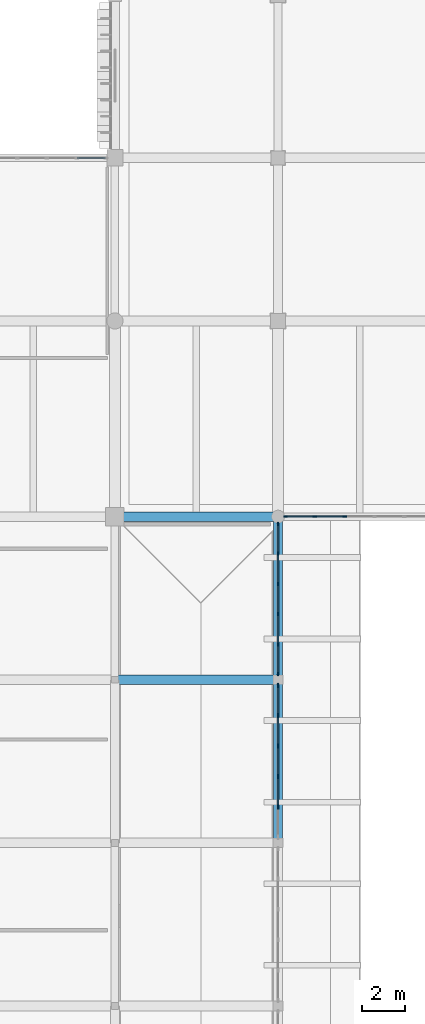
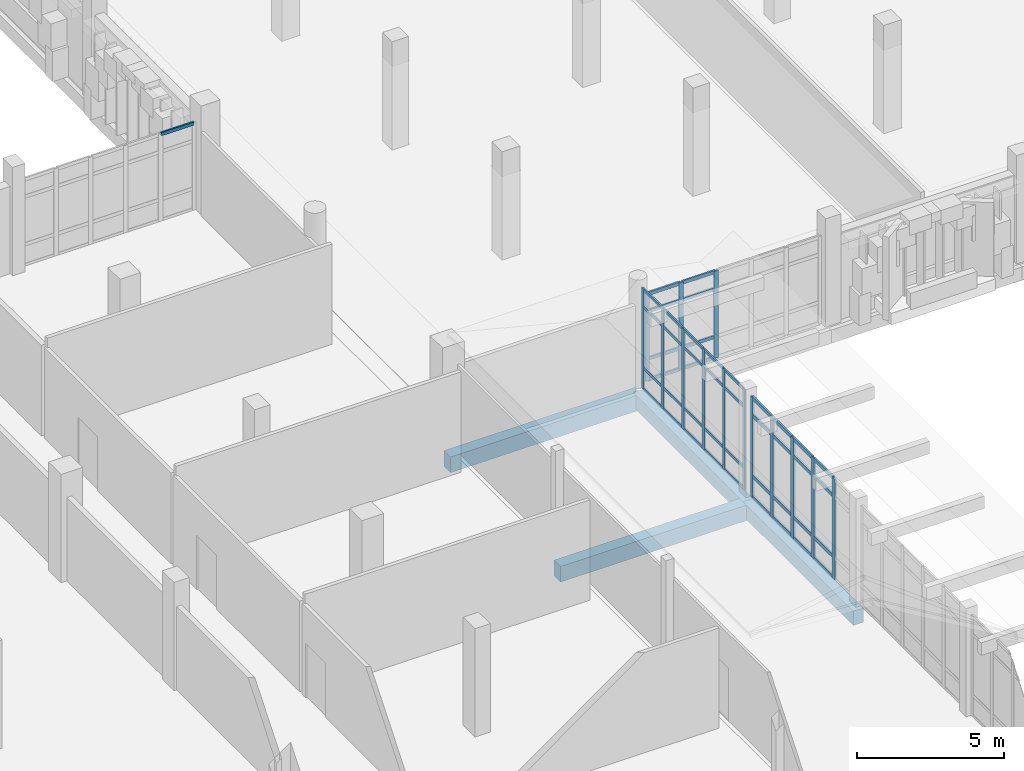
# One storey, part 45 of 128: 59 members, 4 beams, 4 elements without a shape of their own.
"""IFC4 building model written with IfcOpenShell, lengths in metres."""

import ifcopenshell
import ifcopenshell.guid

model = None  # the IFC model being written
_history = None  # IfcOwnerHistory: only IFC2X3 demands one
_inside = {}  # id of a spatial element -> (the spatial element, [elements in it])
_under = {}  # id of a project, library or spatial element -> (it, [spatial elements below it])
_declared = {}  # id of a project -> (the project, [libraries it declares])
_typed = {}  # id of a type object -> (the type object, [elements of that type])
_made_of = {}  # id of a material, layer set ... -> (it, [elements and type objects made of it])


def new_model(schema):
    """Start an empty IFC model of exactly this schema.

    Asked for "IFC4X3", IfcOpenShell would pick the latest addendum, in which some entities
    have other attributes; the version numbers below select the first issue.
    IFC2X3 requires an IfcOwnerHistory on every rooted entity: one is made here for all.
    """
    global model, _history
    if schema == "IFC4X3":
        model = ifcopenshell.file(schema_version=(4, 3, 0, 0))
    else:
        model = ifcopenshell.file(schema=schema)
    _inside.clear()
    _under.clear()
    _declared.clear()
    _typed.clear()
    _made_of.clear()
    _history = None
    if model.schema == "IFC2X3":
        org = make("IfcOrganization", Name="unknown")
        user = make(
            "IfcPersonAndOrganization",
            ThePerson=make("IfcPerson", FamilyName="unknown"),
            TheOrganization=org,
        )
        app = make(
            "IfcApplication",
            ApplicationDeveloper=org,
            Version="unknown",
            ApplicationFullName="unknown",
            ApplicationIdentifier="unknown",
        )
        _history = make(
            "IfcOwnerHistory",
            OwningUser=user,
            OwningApplication=app,
            ChangeAction="ADDED",
            CreationDate=0,
        )
    return model


def make(cls, **values):
    """One entity of the class cls with the attributes given. An attribute that is None is left unset."""
    return model.create_entity(
        cls, **{name: value for name, value in values.items() if value is not None}
    )


def rooted(cls, **values):
    """An entity with a GlobalId (a new one), such as an element, a storey or a relation."""
    return make(cls, GlobalId=ifcopenshell.guid.new(), OwnerHistory=_history, **values)


def si_unit(unit_type, name, prefix=None):
    """IfcSIUnit, for example si_unit("LENGTHUNIT", "METRE", prefix="MILLI")."""
    return make("IfcSIUnit", UnitType=unit_type, Prefix=prefix, Name=name)


def assignment(units):
    """IfcUnitAssignment: the units of a project."""
    return None if units is None else make("IfcUnitAssignment", Units=units)


def point(xyz):
    """IfcCartesianPoint."""
    return None if xyz is None else make("IfcCartesianPoint", Coordinates=xyz)


def direction(xyz):
    """IfcDirection."""
    return None if xyz is None else make("IfcDirection", DirectionRatios=xyz)


def frame(location, z_axis=None, x_axis=None):
    """IfcAxis2Placement3D, a coordinate frame: its origin and axes. An axis left out is left unset."""
    return make(
        "IfcAxis2Placement3D",
        Location=point(location),
        Axis=direction(z_axis),
        RefDirection=direction(x_axis),
    )


def frame_2d(location, x_axis=None):
    """IfcAxis2Placement2D, a coordinate frame in the plane: its origin and x axis."""
    return make(
        "IfcAxis2Placement2D", Location=point(location), RefDirection=direction(x_axis)
    )


def origin():
    """The frame at (0, 0, 0) with its axes left unset."""
    return frame((0.0, 0.0, 0.0))


def origin_2d():
    """The frame at (0, 0) in the plane with its x axis left unset."""
    return frame_2d((0.0, 0.0))


def place(relative_to, where):
    """IfcLocalPlacement: puts the frame where relative to a parent placement (None: the world)."""
    return make(
        "IfcLocalPlacement", PlacementRelTo=relative_to, RelativePlacement=where
    )


def context(
    kind, dimensions, precision=None, world=None, true_north=None, identifier=None
):
    """IfcGeometricRepresentationContext, for example the 3D "Model" context."""
    return make(
        "IfcGeometricRepresentationContext",
        ContextIdentifier=identifier,
        ContextType=kind,
        CoordinateSpaceDimension=dimensions,
        Precision=precision,
        WorldCoordinateSystem=world,
        TrueNorth=true_north,
    )


def subcontext(parent, identifier, kind, view, scale=None):
    """IfcGeometricRepresentationSubContext, for example "Body" below "Model"."""
    return make(
        "IfcGeometricRepresentationSubContext",
        ContextIdentifier=identifier,
        ContextType=kind,
        ParentContext=parent,
        TargetScale=scale,
        TargetView=view,
    )


def project(units=None, contexts=None):
    """IfcProject with its units and contexts."""
    return rooted(
        "IfcProject",
        Name="project",
        RepresentationContexts=contexts,
        UnitsInContext=assignment(units),
    )


def spatial(cls, under=None, at=None, **own):
    """A site, building, storey or space (cls), placed at a placement, below another one or the project."""
    s = rooted(cls, ObjectPlacement=at, **own)
    if under is not None:
        _under.setdefault(under.id(), (under, []))[1].append(s)
    return s


def profile(cls, at=None, kind="AREA", **sizes):
    """A parametric profile (cls). Its sizes go by their IFC names, for example OverallWidth=200.0."""
    return make(cls, ProfileType=kind, Position=at, **sizes)


def rectangle(**sizes):
    """IfcRectangleProfileDef."""
    return profile("IfcRectangleProfileDef", **sizes)


def extrude(swept, where, along, depth):
    """IfcExtrudedAreaSolid: the profile swept, set in the frame where, extruded along a direction by depth."""
    return make(
        "IfcExtrudedAreaSolid",
        SweptArea=swept,
        Position=where,
        ExtrudedDirection=direction(along),
        Depth=depth,
    )


def shape(context_of_items, identifier, shape_type, items):
    """IfcShapeRepresentation: the items that make up one representation, for example the "Body"."""
    return make(
        "IfcShapeRepresentation",
        ContextOfItems=context_of_items,
        RepresentationIdentifier=identifier,
        RepresentationType=shape_type,
        Items=items,
    )


def material(Name=None, Category=None):
    """IfcMaterial."""
    return make("IfcMaterial", Name=Name, Category=Category)


def layer(
    of_material, thickness, ventilated=None, Name=None, Category=None, Priority=None
):
    """IfcMaterialLayer: one layer of a wall or slab, of a material (None: an air gap)."""
    return make(
        "IfcMaterialLayer",
        Material=of_material,
        LayerThickness=thickness,
        IsVentilated=ventilated,
        Name=Name,
        Category=Category,
        Priority=Priority,
    )


def layer_set(layers, Name=None):
    """IfcMaterialLayerSet."""
    return make("IfcMaterialLayerSet", MaterialLayers=layers, LayerSetName=Name)


def material_profile(
    of_material, cross_section, Name=None, Category=None, Priority=None
):
    """IfcMaterialProfile: a cross section and its material."""
    return make(
        "IfcMaterialProfile",
        Name=Name,
        Material=of_material,
        Profile=cross_section,
        Priority=Priority,
        Category=Category,
    )


def profile_set(profiles, Name=None, composite=None):
    """IfcMaterialProfileSet."""
    return make(
        "IfcMaterialProfileSet",
        Name=Name,
        MaterialProfiles=profiles,
        CompositeProfile=composite,
    )


def made_of(thing, what):
    """Note that an element or type object is made of a material, layer set ...; save() writes the relation."""
    if what is not None:
        _made_of.setdefault(what.id(), (what, []))[1].append(thing)
    return thing


def type_object(cls, material=None, **own):
    """A type object (cls), such as IfcWallType, which elements share."""
    return made_of(rooted(cls, **own), material)


def element(
    cls,
    number,
    at=None,
    inside=None,
    cuts=None,
    type_object=None,
    material=None,
    context=None,
    identifier="Body",
    shape_type=None,
    held_by="IfcProductDefinitionShape",
    body=None,
    shapes=None,
    **own,
):
    """One element of the class cls, such as IfcWall. Its Tag is "e" and its number.

    at: its placement. inside: the storey or other place that contains it. cuts: it is an
    opening in that element (IfcRelVoidsElement). A single representation is given by context,
    identifier, shape_type and body (its items); several are given by shapes. held_by: the class
    of the entity that holds the representations. save() writes the other relations.
    """
    e = rooted(cls, Tag="e%d" % number, ObjectPlacement=at, **own)
    if body is not None:
        shapes = [shape(context, identifier, shape_type, body)]
    if shapes is not None:
        e.Representation = make(held_by, Representations=shapes)
    if inside is not None:
        _inside.setdefault(inside.id(), (inside, []))[1].append(e)
    if cuts is not None:
        rooted(
            "IfcRelVoidsElement", RelatingBuildingElement=cuts, RelatedOpeningElement=e
        )
    if type_object is not None:
        _typed.setdefault(type_object.id(), (type_object, []))[1].append(e)
    return made_of(e, material)


def aggregate(whole, parts):
    """IfcRelAggregates: a whole, such as a stair, and the parts it consists of."""
    return rooted("IfcRelAggregates", RelatingObject=whole, RelatedObjects=parts)


def save(model, path):
    """Write the relations noted so far, then the file.

    IfcRelAggregates (storeys below a building ...), IfcRelContainedInSpatialStructure (elements
    in a storey), IfcRelDefinesByType, IfcRelAssociatesMaterial and IfcRelDeclares: one each for
    every whole, place, type object, material and project.
    """
    for whole, parts in _under.values():
        aggregate(whole, parts)
    for where, things in _inside.values():
        rooted(
            "IfcRelContainedInSpatialStructure",
            RelatedElements=things,
            RelatingStructure=where,
        )
    for kind, things in _typed.values():
        rooted("IfcRelDefinesByType", RelatedObjects=things, RelatingType=kind)
    for what, things in _made_of.values():
        rooted("IfcRelAssociatesMaterial", RelatedObjects=things, RelatingMaterial=what)
    for by, libraries in _declared.values():
        rooted("IfcRelDeclares", RelatingContext=by, RelatedDefinitions=libraries)
    model.write(path)


model = new_model("IFC4")

# Units and contexts
model_context = context("Model", 3, precision=1e-05, world=origin(), true_north=direction((0.0, 1.0)))
body_context = subcontext(model_context, "Body", "Model", "MODEL_VIEW")
ifc_project = project(units=[si_unit("LENGTHUNIT", "METRE"), si_unit("AREAUNIT", "SQUARE_METRE"), si_unit("VOLUMEUNIT", "CUBIC_METRE"), si_unit("PLANEANGLEUNIT", "RADIAN"), si_unit("MASSUNIT", "GRAM", prefix="KILO")], contexts=[model_context])

# Site, building, storey
site_placement = place(None, origin())
site = spatial("IfcSite", under=ifc_project, at=site_placement, CompositionType="ELEMENT")
building_placement = place(site_placement, origin())
building = spatial("IfcBuilding", under=site, at=building_placement, Name="Dalvernix Boulevard General Hospital", CompositionType="ELEMENT")
storey_placement = place(building_placement, frame((0.0, 0.0, 4.800048828125)))
storey = spatial("IfcBuildingStorey", under=building, at=storey_placement, Name="L01", CompositionType="ELEMENT", Elevation=4.800048828125)

# Beams
ifc_material_1 = material(Name="Concrete C35/45", Category="concrete")
ifc_material_profile_1 = material_profile(ifc_material_1, rectangle(XDim=0.449951171875, YDim=0.64990234375, at=origin_2d()), Name="RCB 450x650")
ifc_profile_set_1 = profile_set([ifc_material_profile_1], Name="Concrete C35/45")
beam_type_1 = type_object("IfcBeamType", Name="BM-B-03-I", PredefinedType="BEAM", material=ifc_profile_set_1)
for number, where, z_axis, x_axis, name in (
    (1, (30.0, 69.0, -0.625), (1.0, 0.0, 0.0), (0.0, 1.0, 0.0), "L01 E-W girder K:5-6"),
    (2, (30.0, 76.5, -0.625), (1.0, 0.0, 0.0), (0.0, 1.0, 0.0), "L01 E-W girder L:5-6"),
):
    element("IfcBeam", number, at=place(storey_placement, frame(where, z_axis=z_axis, x_axis=x_axis)), inside=storey, type_object=beam_type_1, Name=name, PredefinedType="BEAM", context=body_context, shape_type="SweptSolid", body=[
        extrude(rectangle(XDim=0.449951171875, YDim=0.64990234375, at=origin_2d()), origin(), (0.0, 0.0, 1.0), 7.5),
    ])
ifc_material_profile_2 = material_profile(ifc_material_1, rectangle(XDim=0.39990234375, YDim=0.60009765625, at=origin_2d()), Name="RCB 400x600")
ifc_profile_set_2 = profile_set([ifc_material_profile_2], Name="Concrete C35/45")
beam_type_2 = type_object("IfcBeamType", Name="BM-SB-02-E", PredefinedType="SPANDREL", material=ifc_profile_set_2)
for number, where, z_axis, x_axis, name in (
    (3, (37.5, 61.5, -0.60009765625), (0.0, 1.0, 0.0), (-1.0, 0.0, 0.0), "L01 N-S girder 6:J-K"),
    (4, (37.5, 69.0, -0.60009765625), (0.0, 1.0, 0.0), (-1.0, 0.0, 0.0), "L01 N-S girder 6:K-L"),
):
    element("IfcBeam", number, at=place(storey_placement, frame(where, z_axis=z_axis, x_axis=x_axis)), inside=storey, type_object=beam_type_2, Name=name, PredefinedType="SPANDREL", context=body_context, shape_type="SweptSolid", body=[
        extrude(rectangle(XDim=0.39990234375, YDim=0.60009765625, at=origin_2d()), origin(), (0.0, 0.0, 1.0), 7.5),
    ])

# Curtain wall, members
ifc_material_2 = material(Name="Thermally broken aluminium and solar-control glass curtain wall", Category="aluminium")
ifc_layer_1 = layer(ifc_material_2, 0.159912109375)
ifc_layer_set_1 = layer_set([ifc_layer_1], Name="Thermally broken aluminium and solar-control glass curtain wall (CW-CW-A-70x42)")
curtain_wall_type_1 = type_object("IfcCurtainWallType", Name="CW-CW-A-70x42", PredefinedType="USERDEFINED", material=ifc_layer_set_1)
curtain_wall_1_placement = place(storey_placement, origin())
curtain_wall_1 = element("IfcCurtainWall", 5, at=curtain_wall_1_placement, inside=storey, type_object=curtain_wall_type_1, Name="L01 curtain wall CW-A-70x42 5-9", ObjectType="GLAZED FACADE", PredefinedType="USERDEFINED")
ifc_material_3 = material(Name="Aluminium EN AW-6060", Category="aluminium")
ifc_material_profile_3 = material_profile(ifc_material_3, rectangle(XDim=0.06005859375, YDim=0.159912109375, at=origin_2d()), Name="ALU MULL 60x160")
ifc_profile_set_3 = profile_set([ifc_material_profile_3], Name="Aluminium EN AW-6060")
member_type_1 = type_object("IfcMemberType", Name="MEM-CW-M1", PredefinedType="MULLION", material=ifc_profile_set_3)
member_1_placement = place(storey_placement, frame((37.5, 76.159912109375, 0.0), z_axis=(0.0, 0.0, 1.0), x_axis=(1.0, 0.0, 0.0)))
member_1 = element("IfcMember", 6, at=member_1_placement, type_object=member_type_1, Name="CW-A-70x42 mullion 1", PredefinedType="MULLION", context=body_context, shape_type="SweptSolid", body=[
    extrude(rectangle(XDim=0.06005859375, YDim=0.159912109375, at=origin_2d()), origin(), (0.0, 0.0, 1.0), 4.179931640625),
])
member_2_placement = place(storey_placement, frame((37.5, 74.799072265625, 0.0), z_axis=(0.0, 0.0, 1.0), x_axis=(1.0, 0.0, 0.0)))
member_2 = element("IfcMember", 7, at=member_2_placement, type_object=member_type_1, Name="CW-A-70x42 mullion 2", PredefinedType="MULLION", context=body_context, shape_type="SweptSolid", body=[
    extrude(rectangle(XDim=0.06005859375, YDim=0.159912109375, at=origin_2d()), origin(), (0.0, 0.0, 1.0), 4.179931640625),
])
member_3_placement = place(storey_placement, frame((37.5, 73.407958984375, 0.0), z_axis=(0.0, 0.0, 1.0), x_axis=(1.0, 0.0, 0.0)))
member_3 = element("IfcMember", 8, at=member_3_placement, type_object=member_type_1, Name="CW-A-70x42 mullion 3", PredefinedType="MULLION", context=body_context, shape_type="SweptSolid", body=[
    extrude(rectangle(XDim=0.06005859375, YDim=0.159912109375, at=origin_2d()), origin(), (0.0, 0.0, 1.0), 4.179931640625),
])
member_4_placement = place(storey_placement, frame((37.5, 72.01708984375, 0.0), z_axis=(0.0, 0.0, 1.0), x_axis=(1.0, 0.0, 0.0)))
member_4 = element("IfcMember", 9, at=member_4_placement, type_object=member_type_1, Name="CW-A-70x42 mullion 4", PredefinedType="MULLION", context=body_context, shape_type="SweptSolid", body=[
    extrude(rectangle(XDim=0.06005859375, YDim=0.159912109375, at=origin_2d()), origin(), (0.0, 0.0, 1.0), 4.179931640625),
])
member_5_placement = place(storey_placement, frame((37.5, 70.6259765625, 0.0), z_axis=(0.0, 0.0, 1.0), x_axis=(1.0, 0.0, 0.0)))
member_5 = element("IfcMember", 10, at=member_5_placement, type_object=member_type_1, Name="CW-A-70x42 mullion 5", PredefinedType="MULLION", context=body_context, shape_type="SweptSolid", body=[
    extrude(rectangle(XDim=0.06005859375, YDim=0.159912109375, at=origin_2d()), origin(), (0.0, 0.0, 1.0), 4.179931640625),
])
member_6_placement = place(storey_placement, frame((37.5, 69.264892578125, 0.0), z_axis=(0.0, 0.0, 1.0), x_axis=(1.0, 0.0, 0.0)))
member_6 = element("IfcMember", 11, at=member_6_placement, type_object=member_type_1, Name="CW-A-70x42 mullion 6", PredefinedType="MULLION", context=body_context, shape_type="SweptSolid", body=[
    extrude(rectangle(XDim=0.06005859375, YDim=0.159912109375, at=origin_2d()), origin(), (0.0, 0.0, 1.0), 4.179931640625),
])

ifc_layer_2 = layer(ifc_material_2, 0.179931640625)
ifc_layer_set_2 = layer_set([ifc_layer_2], Name="Thermally broken aluminium and solar-control glass curtain wall (CW-CW-B-69x36)")
curtain_wall_type_2 = type_object("IfcCurtainWallType", Name="CW-CW-B-69x36", PredefinedType="USERDEFINED", material=ifc_layer_set_2)
curtain_wall_2_placement = place(storey_placement, origin())
curtain_wall_2 = element("IfcCurtainWall", 12, at=curtain_wall_2_placement, inside=storey, type_object=curtain_wall_type_2, Name="L01 curtain wall CW-B-69x36 5-10", ObjectType="GLAZED FACADE", PredefinedType="USERDEFINED")
ifc_material_profile_4 = material_profile(ifc_material_3, rectangle(XDim=0.06494140625, YDim=0.179931640625, at=origin_2d()), Name="ALU MULL 65x180")
ifc_profile_set_4 = profile_set([ifc_material_profile_4], Name="Aluminium EN AW-6060")
member_type_2 = type_object("IfcMemberType", Name="MEM-CW-M2", PredefinedType="MULLION", material=ifc_profile_set_4)
member_7_placement = place(storey_placement, frame((40.56201171875, 76.5, 0.0), z_axis=(0.0, 0.0, 1.0), x_axis=(0.0, -1.0, 0.0)))
member_7 = element("IfcMember", 13, at=member_7_placement, type_object=member_type_2, Name="CW-B-69x36 mullion 4", PredefinedType="MULLION", context=body_context, shape_type="SweptSolid", body=[
    extrude(rectangle(XDim=0.06494140625, YDim=0.179931640625, at=origin_2d()), origin(), (0.0, 0.0, 1.0), 3.6298828125),
])
member_8_placement = place(storey_placement, frame((39.18603515625, 76.5, 0.0), z_axis=(0.0, 0.0, 1.0), x_axis=(0.0, -1.0, 0.0)))
member_8 = element("IfcMember", 14, at=member_8_placement, type_object=member_type_2, Name="CW-B-69x36 mullion 5", PredefinedType="MULLION", context=body_context, shape_type="SweptSolid", body=[
    extrude(rectangle(XDim=0.06494140625, YDim=0.179931640625, at=origin_2d()), origin(), (0.0, 0.0, 1.0), 3.6298828125),
])
member_9_placement = place(storey_placement, frame((37.842529296875, 76.5, 0.0), z_axis=(0.0, 0.0, 1.0), x_axis=(0.0, -1.0, 0.0)))
member_9 = element("IfcMember", 15, at=member_9_placement, type_object=member_type_2, Name="CW-B-69x36 mullion 6", PredefinedType="MULLION", context=body_context, shape_type="SweptSolid", body=[
    extrude(rectangle(XDim=0.06494140625, YDim=0.179931640625, at=origin_2d()), origin(), (0.0, 0.0, 1.0), 3.6298828125),
])

ifc_layer_3 = layer(ifc_material_2, 0.199951171875)
ifc_layer_set_3 = layer_set([ifc_layer_3], Name="Thermally broken aluminium and solar-control glass curtain wall (CW-CW-C-70x42)")
curtain_wall_type_3 = type_object("IfcCurtainWallType", Name="CW-CW-C-70x42", PredefinedType="USERDEFINED", material=ifc_layer_set_3)
curtain_wall_3_placement = place(storey_placement, origin())
curtain_wall_3 = element("IfcCurtainWall", 16, at=curtain_wall_3_placement, inside=storey, type_object=curtain_wall_type_3, Name="L01 curtain wall CW-C-70x42 5-8", ObjectType="GLAZED FACADE", PredefinedType="USERDEFINED")
ifc_material_profile_5 = material_profile(ifc_material_3, rectangle(XDim=0.070068359375, YDim=0.199951171875, at=origin_2d()), Name="ALU MULL 70x200")
ifc_profile_set_5 = profile_set([ifc_material_profile_5], Name="Aluminium EN AW-6060")
member_type_3 = type_object("IfcMemberType", Name="MEM-CW-M3", PredefinedType="MULLION", material=ifc_profile_set_5)
member_10_placement = place(storey_placement, frame((37.5, 68.72998046875, 0.0), z_axis=(0.0, 0.0, 1.0), x_axis=(1.0, 0.0, 0.0)))
member_10 = element("IfcMember", 17, at=member_10_placement, type_object=member_type_3, Name="CW-C-70x42 mullion 1", PredefinedType="MULLION", context=body_context, shape_type="SweptSolid", body=[
    extrude(rectangle(XDim=0.070068359375, YDim=0.199951171875, at=origin_2d()), origin(), (0.0, 0.0, 1.0), 4.179931640625),
])
member_11_placement = place(storey_placement, frame((37.5, 67.35888671875, 0.0), z_axis=(0.0, 0.0, 1.0), x_axis=(1.0, 0.0, 0.0)))
member_11 = element("IfcMember", 18, at=member_11_placement, type_object=member_type_3, Name="CW-C-70x42 mullion 2", PredefinedType="MULLION", context=body_context, shape_type="SweptSolid", body=[
    extrude(rectangle(XDim=0.070068359375, YDim=0.199951171875, at=origin_2d()), origin(), (0.0, 0.0, 1.0), 4.179931640625),
])
member_12_placement = place(storey_placement, frame((37.5, 65.952880859375, 0.0), z_axis=(0.0, 0.0, 1.0), x_axis=(1.0, 0.0, 0.0)))
member_12 = element("IfcMember", 19, at=member_12_placement, type_object=member_type_3, Name="CW-C-70x42 mullion 3", PredefinedType="MULLION", context=body_context, shape_type="SweptSolid", body=[
    extrude(rectangle(XDim=0.070068359375, YDim=0.199951171875, at=origin_2d()), origin(), (0.0, 0.0, 1.0), 4.179931640625),
])
member_13_placement = place(storey_placement, frame((37.5, 64.547119140625, 0.0), z_axis=(0.0, 0.0, 1.0), x_axis=(1.0, 0.0, 0.0)))
member_13 = element("IfcMember", 20, at=member_13_placement, type_object=member_type_3, Name="CW-C-70x42 mullion 4", PredefinedType="MULLION", context=body_context, shape_type="SweptSolid", body=[
    extrude(rectangle(XDim=0.070068359375, YDim=0.199951171875, at=origin_2d()), origin(), (0.0, 0.0, 1.0), 4.179931640625),
])
member_14_placement = place(storey_placement, frame((37.5, 63.14111328125, 0.0), z_axis=(0.0, 0.0, 1.0), x_axis=(1.0, 0.0, 0.0)))
member_14 = element("IfcMember", 21, at=member_14_placement, type_object=member_type_3, Name="CW-C-70x42 mullion 5", PredefinedType="MULLION", context=body_context, shape_type="SweptSolid", body=[
    extrude(rectangle(XDim=0.070068359375, YDim=0.199951171875, at=origin_2d()), origin(), (0.0, 0.0, 1.0), 4.179931640625),
])

# Member
ifc_material_profile_6 = material_profile(ifc_material_3, rectangle(XDim=0.06005859375, YDim=0.1201171875, at=origin_2d()), Name="ALU TRAN 60x120")
ifc_profile_set_6 = profile_set([ifc_material_profile_6], Name="Aluminium EN AW-6060")
member_type_4 = type_object("IfcMemberType", Name="MEM-CW-T1", PredefinedType="USERDEFINED", material=ifc_profile_set_6)
member_15_placement = place(storey_placement, frame((37.5, 76.1298828125, 0.030029296875), z_axis=(0.0, -1.0, 0.0), x_axis=(1.0, 0.0, 0.0)))
member_15 = element("IfcMember", 22, at=member_15_placement, type_object=member_type_4, Name="CW-A-70x42 transom 1.1", ObjectType="TRANSOM", PredefinedType="USERDEFINED", context=body_context, shape_type="SweptSolid", body=[
    extrude(rectangle(XDim=0.06005859375, YDim=0.1201171875, at=origin_2d()), origin(), (0.0, 0.0, 1.0), 1.30078125),
])

member_16_placement = place(storey_placement, frame((37.5, 76.1298828125, 0.89990234375), z_axis=(0.0, -1.0, 0.0), x_axis=(1.0, 0.0, 0.0)))
member_16 = element("IfcMember", 23, at=member_16_placement, type_object=member_type_4, Name="CW-A-70x42 transom 1.2", ObjectType="TRANSOM", PredefinedType="USERDEFINED", context=body_context, shape_type="SweptSolid", body=[
    extrude(rectangle(XDim=0.06005859375, YDim=0.1201171875, at=origin_2d()), origin(), (0.0, 0.0, 1.0), 1.30078125),
])

member_17_placement = place(storey_placement, frame((37.5, 76.1298828125, 3.429931640625), z_axis=(0.0, -1.0, 0.0), x_axis=(1.0, 0.0, 0.0)))
member_17 = element("IfcMember", 24, at=member_17_placement, type_object=member_type_4, Name="CW-A-70x42 transom 1.3", ObjectType="TRANSOM", PredefinedType="USERDEFINED", context=body_context, shape_type="SweptSolid", body=[
    extrude(rectangle(XDim=0.06005859375, YDim=0.1201171875, at=origin_2d()), origin(), (0.0, 0.0, 1.0), 1.30078125),
])

member_18_placement = place(storey_placement, frame((37.5, 76.1298828125, 4.14990234375), z_axis=(0.0, -1.0, 0.0), x_axis=(1.0, 0.0, 0.0)))
member_18 = element("IfcMember", 25, at=member_18_placement, type_object=member_type_4, Name="CW-A-70x42 transom 1.4", ObjectType="TRANSOM", PredefinedType="USERDEFINED", context=body_context, shape_type="SweptSolid", body=[
    extrude(rectangle(XDim=0.06005859375, YDim=0.1201171875, at=origin_2d()), origin(), (0.0, 0.0, 1.0), 1.30078125),
])

member_19_placement = place(storey_placement, frame((37.5, 74.76904296875, 0.030029296875), z_axis=(0.0, -1.0, 0.0), x_axis=(1.0, 0.0, 0.0)))
member_19 = element("IfcMember", 26, at=member_19_placement, type_object=member_type_4, Name="CW-A-70x42 transom 2.1", ObjectType="TRANSOM", PredefinedType="USERDEFINED", context=body_context, shape_type="SweptSolid", body=[
    extrude(rectangle(XDim=0.06005859375, YDim=0.1201171875, at=origin_2d()), origin(), (0.0, 0.0, 1.0), 1.3310546875),
])

member_20_placement = place(storey_placement, frame((37.5, 74.76904296875, 0.89990234375), z_axis=(0.0, -1.0, 0.0), x_axis=(1.0, 0.0, 0.0)))
member_20 = element("IfcMember", 27, at=member_20_placement, type_object=member_type_4, Name="CW-A-70x42 transom 2.2", ObjectType="TRANSOM", PredefinedType="USERDEFINED", context=body_context, shape_type="SweptSolid", body=[
    extrude(rectangle(XDim=0.06005859375, YDim=0.1201171875, at=origin_2d()), origin(), (0.0, 0.0, 1.0), 1.3310546875),
])

member_21_placement = place(storey_placement, frame((37.5, 74.76904296875, 3.429931640625), z_axis=(0.0, -1.0, 0.0), x_axis=(1.0, 0.0, 0.0)))
member_21 = element("IfcMember", 28, at=member_21_placement, type_object=member_type_4, Name="CW-A-70x42 transom 2.3", ObjectType="TRANSOM", PredefinedType="USERDEFINED", context=body_context, shape_type="SweptSolid", body=[
    extrude(rectangle(XDim=0.06005859375, YDim=0.1201171875, at=origin_2d()), origin(), (0.0, 0.0, 1.0), 1.3310546875),
])

member_22_placement = place(storey_placement, frame((37.5, 74.76904296875, 4.14990234375), z_axis=(0.0, -1.0, 0.0), x_axis=(1.0, 0.0, 0.0)))
member_22 = element("IfcMember", 29, at=member_22_placement, type_object=member_type_4, Name="CW-A-70x42 transom 2.4", ObjectType="TRANSOM", PredefinedType="USERDEFINED", context=body_context, shape_type="SweptSolid", body=[
    extrude(rectangle(XDim=0.06005859375, YDim=0.1201171875, at=origin_2d()), origin(), (0.0, 0.0, 1.0), 1.3310546875),
])

member_23_placement = place(storey_placement, frame((37.5, 73.3779296875, 0.030029296875), z_axis=(0.0, -1.0, 0.0), x_axis=(1.0, 0.0, 0.0)))
member_23 = element("IfcMember", 30, at=member_23_placement, type_object=member_type_4, Name="CW-A-70x42 transom 3.1", ObjectType="TRANSOM", PredefinedType="USERDEFINED", context=body_context, shape_type="SweptSolid", body=[
    extrude(rectangle(XDim=0.06005859375, YDim=0.1201171875, at=origin_2d()), origin(), (0.0, 0.0, 1.0), 1.330810546875),
])

member_24_placement = place(storey_placement, frame((37.5, 73.3779296875, 0.89990234375), z_axis=(0.0, -1.0, 0.0), x_axis=(1.0, 0.0, 0.0)))
member_24 = element("IfcMember", 31, at=member_24_placement, type_object=member_type_4, Name="CW-A-70x42 transom 3.2", ObjectType="TRANSOM", PredefinedType="USERDEFINED", context=body_context, shape_type="SweptSolid", body=[
    extrude(rectangle(XDim=0.06005859375, YDim=0.1201171875, at=origin_2d()), origin(), (0.0, 0.0, 1.0), 1.330810546875),
])

member_25_placement = place(storey_placement, frame((37.5, 73.3779296875, 3.429931640625), z_axis=(0.0, -1.0, 0.0), x_axis=(1.0, 0.0, 0.0)))
member_25 = element("IfcMember", 32, at=member_25_placement, type_object=member_type_4, Name="CW-A-70x42 transom 3.3", ObjectType="TRANSOM", PredefinedType="USERDEFINED", context=body_context, shape_type="SweptSolid", body=[
    extrude(rectangle(XDim=0.06005859375, YDim=0.1201171875, at=origin_2d()), origin(), (0.0, 0.0, 1.0), 1.330810546875),
])

member_26_placement = place(storey_placement, frame((37.5, 73.3779296875, 4.14990234375), z_axis=(0.0, -1.0, 0.0), x_axis=(1.0, 0.0, 0.0)))
member_26 = element("IfcMember", 33, at=member_26_placement, type_object=member_type_4, Name="CW-A-70x42 transom 3.4", ObjectType="TRANSOM", PredefinedType="USERDEFINED", context=body_context, shape_type="SweptSolid", body=[
    extrude(rectangle(XDim=0.06005859375, YDim=0.1201171875, at=origin_2d()), origin(), (0.0, 0.0, 1.0), 1.330810546875),
])

member_27_placement = place(storey_placement, frame((37.5, 71.987060546875, 0.030029296875), z_axis=(0.0, -1.0, 0.0), x_axis=(1.0, 0.0, 0.0)))
member_27 = element("IfcMember", 34, at=member_27_placement, type_object=member_type_4, Name="CW-A-70x42 transom 4.1", ObjectType="TRANSOM", PredefinedType="USERDEFINED", context=body_context, shape_type="SweptSolid", body=[
    extrude(rectangle(XDim=0.06005859375, YDim=0.1201171875, at=origin_2d()), origin(), (0.0, 0.0, 1.0), 1.3310546875),
])

member_28_placement = place(storey_placement, frame((37.5, 71.987060546875, 0.89990234375), z_axis=(0.0, -1.0, 0.0), x_axis=(1.0, 0.0, 0.0)))
member_28 = element("IfcMember", 35, at=member_28_placement, type_object=member_type_4, Name="CW-A-70x42 transom 4.2", ObjectType="TRANSOM", PredefinedType="USERDEFINED", context=body_context, shape_type="SweptSolid", body=[
    extrude(rectangle(XDim=0.06005859375, YDim=0.1201171875, at=origin_2d()), origin(), (0.0, 0.0, 1.0), 1.3310546875),
])

member_29_placement = place(storey_placement, frame((37.5, 71.987060546875, 3.429931640625), z_axis=(0.0, -1.0, 0.0), x_axis=(1.0, 0.0, 0.0)))
member_29 = element("IfcMember", 36, at=member_29_placement, type_object=member_type_4, Name="CW-A-70x42 transom 4.3", ObjectType="TRANSOM", PredefinedType="USERDEFINED", context=body_context, shape_type="SweptSolid", body=[
    extrude(rectangle(XDim=0.06005859375, YDim=0.1201171875, at=origin_2d()), origin(), (0.0, 0.0, 1.0), 1.3310546875),
])

member_30_placement = place(storey_placement, frame((37.5, 71.987060546875, 4.14990234375), z_axis=(0.0, -1.0, 0.0), x_axis=(1.0, 0.0, 0.0)))
member_30 = element("IfcMember", 37, at=member_30_placement, type_object=member_type_4, Name="CW-A-70x42 transom 4.4", ObjectType="TRANSOM", PredefinedType="USERDEFINED", context=body_context, shape_type="SweptSolid", body=[
    extrude(rectangle(XDim=0.06005859375, YDim=0.1201171875, at=origin_2d()), origin(), (0.0, 0.0, 1.0), 1.3310546875),
])

member_31_placement = place(storey_placement, frame((37.5, 70.595947265625, 0.030029296875), z_axis=(0.0, -1.0, 0.0), x_axis=(1.0, 0.0, 0.0)))
member_31 = element("IfcMember", 38, at=member_31_placement, type_object=member_type_4, Name="CW-A-70x42 transom 5.1", ObjectType="TRANSOM", PredefinedType="USERDEFINED", context=body_context, shape_type="SweptSolid", body=[
    extrude(rectangle(XDim=0.06005859375, YDim=0.1201171875, at=origin_2d()), origin(), (0.0, 0.0, 1.0), 1.301025390625),
])

member_32_placement = place(storey_placement, frame((37.5, 70.595947265625, 0.89990234375), z_axis=(0.0, -1.0, 0.0), x_axis=(1.0, 0.0, 0.0)))
member_32 = element("IfcMember", 39, at=member_32_placement, type_object=member_type_4, Name="CW-A-70x42 transom 5.2", ObjectType="TRANSOM", PredefinedType="USERDEFINED", context=body_context, shape_type="SweptSolid", body=[
    extrude(rectangle(XDim=0.06005859375, YDim=0.1201171875, at=origin_2d()), origin(), (0.0, 0.0, 1.0), 1.301025390625),
])

member_33_placement = place(storey_placement, frame((37.5, 70.595947265625, 3.429931640625), z_axis=(0.0, -1.0, 0.0), x_axis=(1.0, 0.0, 0.0)))
member_33 = element("IfcMember", 40, at=member_33_placement, type_object=member_type_4, Name="CW-A-70x42 transom 5.3", ObjectType="TRANSOM", PredefinedType="USERDEFINED", context=body_context, shape_type="SweptSolid", body=[
    extrude(rectangle(XDim=0.06005859375, YDim=0.1201171875, at=origin_2d()), origin(), (0.0, 0.0, 1.0), 1.301025390625),
])

member_34_placement = place(storey_placement, frame((37.5, 70.595947265625, 4.14990234375), z_axis=(0.0, -1.0, 0.0), x_axis=(1.0, 0.0, 0.0)))
member_34 = element("IfcMember", 41, at=member_34_placement, type_object=member_type_4, Name="CW-A-70x42 transom 5.4", ObjectType="TRANSOM", PredefinedType="USERDEFINED", context=body_context, shape_type="SweptSolid", body=[
    extrude(rectangle(XDim=0.06005859375, YDim=0.1201171875, at=origin_2d()), origin(), (0.0, 0.0, 1.0), 1.301025390625),
])

aggregate(curtain_wall_1, [member_1, member_2, member_3, member_4, member_5, member_6, member_15, member_16, member_17, member_18, member_19, member_20, member_21, member_22, member_23, member_24, member_25, member_26, member_27, member_28, member_29, member_30, member_31, member_32, member_33, member_34])

# Curtain wall, member
curtain_wall_4_placement = place(storey_placement, origin())
curtain_wall_4 = element("IfcCurtainWall", 42, at=curtain_wall_4_placement, inside=storey, type_object=curtain_wall_type_2, Name="L01 curtain wall CW-B-69x36 3-12", ObjectType="GLAZED FACADE", PredefinedType="USERDEFINED")
ifc_material_profile_7 = material_profile(ifc_material_3, rectangle(XDim=0.06494140625, YDim=0.139892578125, at=origin_2d()), Name="ALU TRAN 65x140")
ifc_profile_set_7 = profile_set([ifc_material_profile_7], Name="Aluminium EN AW-6060")
member_type_5 = type_object("IfcMemberType", Name="MEM-CW-T2", PredefinedType="USERDEFINED", material=ifc_profile_set_7)
member_35_placement = place(storey_placement, frame((28.276611328125, 93.0, 3.597412109375), z_axis=(1.0, 0.0, 0.0), x_axis=(0.0, 1.0, 0.0)))
member_35 = element("IfcMember", 43, at=member_35_placement, type_object=member_type_5, Name="CW-B-69x36 transom 5.4", ObjectType="TRANSOM", PredefinedType="USERDEFINED", context=body_context, shape_type="SweptSolid", body=[
    extrude(rectangle(XDim=0.06494140625, YDim=0.139892578125, at=origin_2d()), origin(), (0.0, 0.0, 1.0), 1.2734375),
])
aggregate(curtain_wall_4, [member_35])

# Member
member_36_placement = place(storey_placement, frame((40.529541015625, 76.5, 0.032470703125), z_axis=(-1.0, 0.0, 0.0), x_axis=(0.0, -1.0, 0.0)))
member_36 = element("IfcMember", 44, at=member_36_placement, type_object=member_type_5, Name="CW-B-69x36 transom 4.1", ObjectType="TRANSOM", PredefinedType="USERDEFINED", context=body_context, shape_type="SweptSolid", body=[
    extrude(rectangle(XDim=0.06494140625, YDim=0.139892578125, at=origin_2d()), origin(), (0.0, 0.0, 1.0), 1.31103515625),
])

member_37_placement = place(storey_placement, frame((40.529541015625, 76.5, 0.89990234375), z_axis=(-1.0, 0.0, 0.0), x_axis=(0.0, -1.0, 0.0)))
member_37 = element("IfcMember", 45, at=member_37_placement, type_object=member_type_5, Name="CW-B-69x36 transom 4.2", ObjectType="TRANSOM", PredefinedType="USERDEFINED", context=body_context, shape_type="SweptSolid", body=[
    extrude(rectangle(XDim=0.06494140625, YDim=0.139892578125, at=origin_2d()), origin(), (0.0, 0.0, 1.0), 1.31103515625),
])

member_38_placement = place(storey_placement, frame((40.529541015625, 76.5, 2.8798828125), z_axis=(-1.0, 0.0, 0.0), x_axis=(0.0, -1.0, 0.0)))
member_38 = element("IfcMember", 46, at=member_38_placement, type_object=member_type_5, Name="CW-B-69x36 transom 4.3", ObjectType="TRANSOM", PredefinedType="USERDEFINED", context=body_context, shape_type="SweptSolid", body=[
    extrude(rectangle(XDim=0.06494140625, YDim=0.139892578125, at=origin_2d()), origin(), (0.0, 0.0, 1.0), 1.31103515625),
])

member_39_placement = place(storey_placement, frame((40.529541015625, 76.5, 3.597412109375), z_axis=(-1.0, 0.0, 0.0), x_axis=(0.0, -1.0, 0.0)))
member_39 = element("IfcMember", 47, at=member_39_placement, type_object=member_type_5, Name="CW-B-69x36 transom 4.4", ObjectType="TRANSOM", PredefinedType="USERDEFINED", context=body_context, shape_type="SweptSolid", body=[
    extrude(rectangle(XDim=0.06494140625, YDim=0.139892578125, at=origin_2d()), origin(), (0.0, 0.0, 1.0), 1.31103515625),
])

member_40_placement = place(storey_placement, frame((39.153564453125, 76.5, 0.032470703125), z_axis=(-1.0, 0.0, 0.0), x_axis=(0.0, -1.0, 0.0)))
member_40 = element("IfcMember", 48, at=member_40_placement, type_object=member_type_5, Name="CW-B-69x36 transom 5.1", ObjectType="TRANSOM", PredefinedType="USERDEFINED", context=body_context, shape_type="SweptSolid", body=[
    extrude(rectangle(XDim=0.06494140625, YDim=0.139892578125, at=origin_2d()), origin(), (0.0, 0.0, 1.0), 1.278564453125),
])

member_41_placement = place(storey_placement, frame((39.153564453125, 76.5, 0.89990234375), z_axis=(-1.0, 0.0, 0.0), x_axis=(0.0, -1.0, 0.0)))
member_41 = element("IfcMember", 49, at=member_41_placement, type_object=member_type_5, Name="CW-B-69x36 transom 5.2", ObjectType="TRANSOM", PredefinedType="USERDEFINED", context=body_context, shape_type="SweptSolid", body=[
    extrude(rectangle(XDim=0.06494140625, YDim=0.139892578125, at=origin_2d()), origin(), (0.0, 0.0, 1.0), 1.278564453125),
])

member_42_placement = place(storey_placement, frame((39.153564453125, 76.5, 2.8798828125), z_axis=(-1.0, 0.0, 0.0), x_axis=(0.0, -1.0, 0.0)))
member_42 = element("IfcMember", 50, at=member_42_placement, type_object=member_type_5, Name="CW-B-69x36 transom 5.3", ObjectType="TRANSOM", PredefinedType="USERDEFINED", context=body_context, shape_type="SweptSolid", body=[
    extrude(rectangle(XDim=0.06494140625, YDim=0.139892578125, at=origin_2d()), origin(), (0.0, 0.0, 1.0), 1.278564453125),
])

member_43_placement = place(storey_placement, frame((39.153564453125, 76.5, 3.597412109375), z_axis=(-1.0, 0.0, 0.0), x_axis=(0.0, -1.0, 0.0)))
member_43 = element("IfcMember", 51, at=member_43_placement, type_object=member_type_5, Name="CW-B-69x36 transom 5.4", ObjectType="TRANSOM", PredefinedType="USERDEFINED", context=body_context, shape_type="SweptSolid", body=[
    extrude(rectangle(XDim=0.06494140625, YDim=0.139892578125, at=origin_2d()), origin(), (0.0, 0.0, 1.0), 1.278564453125),
])

aggregate(curtain_wall_2, [member_7, member_8, member_9, member_36, member_37, member_38, member_39, member_40, member_41, member_42, member_43])

ifc_material_profile_8 = material_profile(ifc_material_3, rectangle(XDim=0.070068359375, YDim=0.14990234375, at=origin_2d()), Name="ALU TRAN 70x150")
ifc_profile_set_8 = profile_set([ifc_material_profile_8], Name="Aluminium EN AW-6060")
member_type_6 = type_object("IfcMemberType", Name="MEM-CW-T3", PredefinedType="USERDEFINED", material=ifc_profile_set_8)
member_44_placement = place(storey_placement, frame((37.5, 68.695068359375, 0.034912109375), z_axis=(0.0, -1.0, 0.0), x_axis=(1.0, 0.0, 0.0)))
member_44 = element("IfcMember", 52, at=member_44_placement, type_object=member_type_6, Name="CW-C-70x42 transom 1.1", ObjectType="TRANSOM", PredefinedType="USERDEFINED", context=body_context, shape_type="SweptSolid", body=[
    extrude(rectangle(XDim=0.070068359375, YDim=0.14990234375, at=origin_2d()), origin(), (0.0, 0.0, 1.0), 1.301025390625),
])

member_45_placement = place(storey_placement, frame((37.5, 68.695068359375, 0.89990234375), z_axis=(0.0, -1.0, 0.0), x_axis=(1.0, 0.0, 0.0)))
member_45 = element("IfcMember", 53, at=member_45_placement, type_object=member_type_6, Name="CW-C-70x42 transom 1.2", ObjectType="TRANSOM", PredefinedType="USERDEFINED", context=body_context, shape_type="SweptSolid", body=[
    extrude(rectangle(XDim=0.070068359375, YDim=0.14990234375, at=origin_2d()), origin(), (0.0, 0.0, 1.0), 1.301025390625),
])

member_46_placement = place(storey_placement, frame((37.5, 68.695068359375, 3.429931640625), z_axis=(0.0, -1.0, 0.0), x_axis=(1.0, 0.0, 0.0)))
member_46 = element("IfcMember", 54, at=member_46_placement, type_object=member_type_6, Name="CW-C-70x42 transom 1.3", ObjectType="TRANSOM", PredefinedType="USERDEFINED", context=body_context, shape_type="SweptSolid", body=[
    extrude(rectangle(XDim=0.070068359375, YDim=0.14990234375, at=origin_2d()), origin(), (0.0, 0.0, 1.0), 1.301025390625),
])

member_47_placement = place(storey_placement, frame((37.5, 68.695068359375, 4.14501953125), z_axis=(0.0, -1.0, 0.0), x_axis=(1.0, 0.0, 0.0)))
member_47 = element("IfcMember", 55, at=member_47_placement, type_object=member_type_6, Name="CW-C-70x42 transom 1.4", ObjectType="TRANSOM", PredefinedType="USERDEFINED", context=body_context, shape_type="SweptSolid", body=[
    extrude(rectangle(XDim=0.070068359375, YDim=0.14990234375, at=origin_2d()), origin(), (0.0, 0.0, 1.0), 1.301025390625),
])

member_48_placement = place(storey_placement, frame((37.5, 67.323974609375, 0.034912109375), z_axis=(0.0, -1.0, 0.0), x_axis=(1.0, 0.0, 0.0)))
member_48 = element("IfcMember", 56, at=member_48_placement, type_object=member_type_6, Name="CW-C-70x42 transom 2.1", ObjectType="TRANSOM", PredefinedType="USERDEFINED", context=body_context, shape_type="SweptSolid", body=[
    extrude(rectangle(XDim=0.070068359375, YDim=0.14990234375, at=origin_2d()), origin(), (0.0, 0.0, 1.0), 1.3359375),
])

member_49_placement = place(storey_placement, frame((37.5, 67.323974609375, 0.89990234375), z_axis=(0.0, -1.0, 0.0), x_axis=(1.0, 0.0, 0.0)))
member_49 = element("IfcMember", 57, at=member_49_placement, type_object=member_type_6, Name="CW-C-70x42 transom 2.2", ObjectType="TRANSOM", PredefinedType="USERDEFINED", context=body_context, shape_type="SweptSolid", body=[
    extrude(rectangle(XDim=0.070068359375, YDim=0.14990234375, at=origin_2d()), origin(), (0.0, 0.0, 1.0), 1.3359375),
])

member_50_placement = place(storey_placement, frame((37.5, 67.323974609375, 3.429931640625), z_axis=(0.0, -1.0, 0.0), x_axis=(1.0, 0.0, 0.0)))
member_50 = element("IfcMember", 58, at=member_50_placement, type_object=member_type_6, Name="CW-C-70x42 transom 2.3", ObjectType="TRANSOM", PredefinedType="USERDEFINED", context=body_context, shape_type="SweptSolid", body=[
    extrude(rectangle(XDim=0.070068359375, YDim=0.14990234375, at=origin_2d()), origin(), (0.0, 0.0, 1.0), 1.3359375),
])

member_51_placement = place(storey_placement, frame((37.5, 67.323974609375, 4.14501953125), z_axis=(0.0, -1.0, 0.0), x_axis=(1.0, 0.0, 0.0)))
member_51 = element("IfcMember", 59, at=member_51_placement, type_object=member_type_6, Name="CW-C-70x42 transom 2.4", ObjectType="TRANSOM", PredefinedType="USERDEFINED", context=body_context, shape_type="SweptSolid", body=[
    extrude(rectangle(XDim=0.070068359375, YDim=0.14990234375, at=origin_2d()), origin(), (0.0, 0.0, 1.0), 1.3359375),
])

member_52_placement = place(storey_placement, frame((37.5, 65.91796875, 0.034912109375), z_axis=(0.0, -1.0, 0.0), x_axis=(1.0, 0.0, 0.0)))
member_52 = element("IfcMember", 60, at=member_52_placement, type_object=member_type_6, Name="CW-C-70x42 transom 3.1", ObjectType="TRANSOM", PredefinedType="USERDEFINED", context=body_context, shape_type="SweptSolid", body=[
    extrude(rectangle(XDim=0.070068359375, YDim=0.14990234375, at=origin_2d()), origin(), (0.0, 0.0, 1.0), 1.3359375),
])

member_53_placement = place(storey_placement, frame((37.5, 65.91796875, 0.89990234375), z_axis=(0.0, -1.0, 0.0), x_axis=(1.0, 0.0, 0.0)))
member_53 = element("IfcMember", 61, at=member_53_placement, type_object=member_type_6, Name="CW-C-70x42 transom 3.2", ObjectType="TRANSOM", PredefinedType="USERDEFINED", context=body_context, shape_type="SweptSolid", body=[
    extrude(rectangle(XDim=0.070068359375, YDim=0.14990234375, at=origin_2d()), origin(), (0.0, 0.0, 1.0), 1.3359375),
])

member_54_placement = place(storey_placement, frame((37.5, 65.91796875, 3.429931640625), z_axis=(0.0, -1.0, 0.0), x_axis=(1.0, 0.0, 0.0)))
member_54 = element("IfcMember", 62, at=member_54_placement, type_object=member_type_6, Name="CW-C-70x42 transom 3.3", ObjectType="TRANSOM", PredefinedType="USERDEFINED", context=body_context, shape_type="SweptSolid", body=[
    extrude(rectangle(XDim=0.070068359375, YDim=0.14990234375, at=origin_2d()), origin(), (0.0, 0.0, 1.0), 1.3359375),
])

member_55_placement = place(storey_placement, frame((37.5, 65.91796875, 4.14501953125), z_axis=(0.0, -1.0, 0.0), x_axis=(1.0, 0.0, 0.0)))
member_55 = element("IfcMember", 63, at=member_55_placement, type_object=member_type_6, Name="CW-C-70x42 transom 3.4", ObjectType="TRANSOM", PredefinedType="USERDEFINED", context=body_context, shape_type="SweptSolid", body=[
    extrude(rectangle(XDim=0.070068359375, YDim=0.14990234375, at=origin_2d()), origin(), (0.0, 0.0, 1.0), 1.3359375),
])

member_56_placement = place(storey_placement, frame((37.5, 64.511962890625, 0.034912109375), z_axis=(0.0, -1.0, 0.0), x_axis=(1.0, 0.0, 0.0)))
member_56 = element("IfcMember", 64, at=member_56_placement, type_object=member_type_6, Name="CW-C-70x42 transom 4.1", ObjectType="TRANSOM", PredefinedType="USERDEFINED", context=body_context, shape_type="SweptSolid", body=[
    extrude(rectangle(XDim=0.070068359375, YDim=0.14990234375, at=origin_2d()), origin(), (0.0, 0.0, 1.0), 1.3359375),
])

member_57_placement = place(storey_placement, frame((37.5, 64.511962890625, 0.89990234375), z_axis=(0.0, -1.0, 0.0), x_axis=(1.0, 0.0, 0.0)))
member_57 = element("IfcMember", 65, at=member_57_placement, type_object=member_type_6, Name="CW-C-70x42 transom 4.2", ObjectType="TRANSOM", PredefinedType="USERDEFINED", context=body_context, shape_type="SweptSolid", body=[
    extrude(rectangle(XDim=0.070068359375, YDim=0.14990234375, at=origin_2d()), origin(), (0.0, 0.0, 1.0), 1.3359375),
])

member_58_placement = place(storey_placement, frame((37.5, 64.511962890625, 3.429931640625), z_axis=(0.0, -1.0, 0.0), x_axis=(1.0, 0.0, 0.0)))
member_58 = element("IfcMember", 66, at=member_58_placement, type_object=member_type_6, Name="CW-C-70x42 transom 4.3", ObjectType="TRANSOM", PredefinedType="USERDEFINED", context=body_context, shape_type="SweptSolid", body=[
    extrude(rectangle(XDim=0.070068359375, YDim=0.14990234375, at=origin_2d()), origin(), (0.0, 0.0, 1.0), 1.3359375),
])

member_59_placement = place(storey_placement, frame((37.5, 64.511962890625, 4.14501953125), z_axis=(0.0, -1.0, 0.0), x_axis=(1.0, 0.0, 0.0)))
member_59 = element("IfcMember", 67, at=member_59_placement, type_object=member_type_6, Name="CW-C-70x42 transom 4.4", ObjectType="TRANSOM", PredefinedType="USERDEFINED", context=body_context, shape_type="SweptSolid", body=[
    extrude(rectangle(XDim=0.070068359375, YDim=0.14990234375, at=origin_2d()), origin(), (0.0, 0.0, 1.0), 1.3359375),
])

aggregate(curtain_wall_3, [member_10, member_11, member_12, member_13, member_14, member_44, member_45, member_46, member_47, member_48, member_49, member_50, member_51, member_52, member_53, member_54, member_55, member_56, member_57, member_58, member_59])

save(model, "model.ifc")
